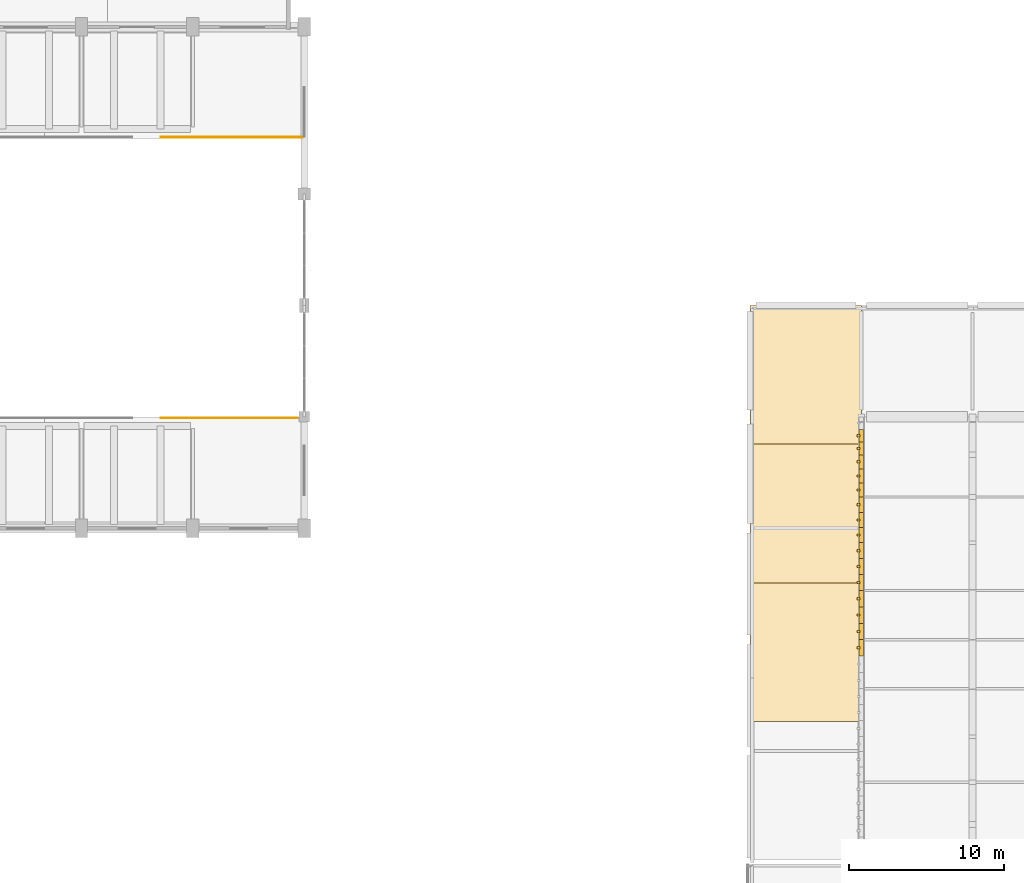
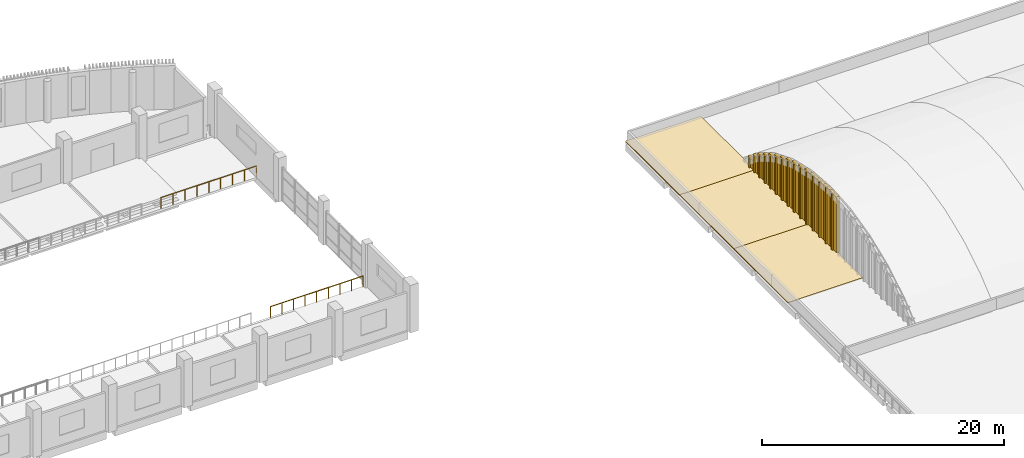
# One storey, part 68 of 71: 33 coverings, 2 railings.
"""IFC4 building model written with IfcOpenShell, lengths in metres."""

from ifc_helpers import new_model, si_unit, direction, frame, frame_2d, origin, origin_2d, place, context, subcontext, project, spatial, polyline, rectangle, circle, outline, extrude, material, layer, layer_set, type_object, element, save


model = new_model("IFC4")

# Units and contexts
model_context = context("Model", 3, precision=1e-05, world=origin(), true_north=direction((0.0, 1.0)))
body_context = subcontext(model_context, "Body", "Model", "MODEL_VIEW")
ifc_project = project(units=[si_unit("LENGTHUNIT", "METRE"), si_unit("AREAUNIT", "SQUARE_METRE"), si_unit("VOLUMEUNIT", "CUBIC_METRE"), si_unit("PLANEANGLEUNIT", "RADIAN"), si_unit("MASSUNIT", "GRAM", prefix="KILO")], contexts=[model_context])

# Site, building, storey
site_placement = place(None, origin())
site = spatial("IfcSite", under=ifc_project, at=site_placement, CompositionType="ELEMENT")
building_placement = place(site_placement, origin())
building = spatial("IfcBuilding", under=site, at=building_placement, Name="Sardonyx Promenade Sports Hall", CompositionType="ELEMENT")
storey_placement = place(building_placement, frame((0.0, 0.0, 16.0)))
storey = spatial("IfcBuildingStorey", under=building, at=storey_placement, Name="L03", CompositionType="ELEMENT", Elevation=16.0)

# Coverings
ifc_material_1 = material(Name="Glulam GL28h", Category="wood")
ifc_layer_1 = layer(ifc_material_1, 0.110107421875)
ifc_layer_set_1 = layer_set([ifc_layer_1], Name="Cov_Louvre_GL28h")
covering_type_1 = type_object("IfcCoveringType", Name="Cov_Louvre_GL28h", PredefinedType="MOLDING", material=ifc_layer_set_1)
for number, where, z_axis, x_axis, name in (
    (1, (115.02001953125, 64.271728515625, -0.02001953125), (0.0, 0.0, 1.0), (1.0, 0.0, 0.0), "Tympanum vertical stone mullion V2-W #15"),
    (2, (115.02001953125, 65.328369140625, -0.02001953125), (0.0, 0.0, 1.0), (1.0, 0.0, 0.0), "Tympanum vertical stone mullion V2-W #16"),
):
    element("IfcCovering", number, at=place(storey_placement, frame(where, z_axis=z_axis, x_axis=x_axis)), inside=storey, type_object=covering_type_1, Name=name, PredefinedType="MOLDING", context=body_context, shape_type="SweptSolid", body=[
        extrude(rectangle(XDim=0.219970703125, YDim=0.139892578125, at=origin_2d()), origin(), (0.0, 0.0, 1.0), 5.739501953125),
    ])
covering_1_placement = place(storey_placement, frame((115.02001953125, 66.384765625, -0.02001953125), z_axis=(0.0, 0.0, 1.0), x_axis=(1.0, 0.0, 0.0)))
element("IfcCovering", 3, at=covering_1_placement, inside=storey, type_object=covering_type_1, Name="Tympanum vertical stone mullion V2-W #17", PredefinedType="MOLDING", context=body_context, shape_type="SweptSolid", body=[
    extrude(rectangle(XDim=0.219970703125, YDim=0.139892578125, at=origin_2d()), origin(), (0.0, 0.0, 1.0), 5.658447265625),
])
covering_2_placement = place(storey_placement, frame((115.02001953125, 67.44140625, -0.02001953125), z_axis=(0.0, 0.0, 1.0), x_axis=(1.0, 0.0, 0.0)))
element("IfcCovering", 4, at=covering_2_placement, inside=storey, type_object=covering_type_1, Name="Tympanum vertical stone mullion V2-W #18", PredefinedType="MOLDING", context=body_context, shape_type="SweptSolid", body=[
    extrude(rectangle(XDim=0.219970703125, YDim=0.139892578125, at=origin_2d()), origin(), (0.0, 0.0, 1.0), 5.577392578125),
])
covering_3_placement = place(storey_placement, frame((115.02001953125, 68.485595703125, -0.02001953125), z_axis=(0.0, 0.0, 1.0), x_axis=(1.0, 0.0, 0.0)))
element("IfcCovering", 5, at=covering_3_placement, inside=storey, type_object=covering_type_1, Name="Tympanum vertical stone mullion V2-W #19", PredefinedType="MOLDING", context=body_context, shape_type="SweptSolid", body=[
    extrude(rectangle(XDim=0.219970703125, YDim=0.139892578125, at=origin_2d()), origin(), (0.0, 0.0, 1.0), 5.416015625),
])
covering_4_placement = place(storey_placement, frame((115.02001953125, 69.517333984375, -0.02001953125), z_axis=(0.0, 0.0, 1.0), x_axis=(1.0, 0.0, 0.0)))
element("IfcCovering", 6, at=covering_4_placement, inside=storey, type_object=covering_type_1, Name="Tympanum vertical stone mullion V2-W #20", PredefinedType="MOLDING", context=body_context, shape_type="SweptSolid", body=[
    extrude(rectangle(XDim=0.219970703125, YDim=0.139892578125, at=origin_2d()), origin(), (0.0, 0.0, 1.0), 5.1748046875),
])
covering_5_placement = place(storey_placement, frame((115.02001953125, 70.549072265625, -0.02001953125), z_axis=(0.0, 0.0, 1.0), x_axis=(1.0, 0.0, 0.0)))
element("IfcCovering", 7, at=covering_5_placement, inside=storey, type_object=covering_type_1, Name="Tympanum vertical stone mullion V2-W #21", PredefinedType="MOLDING", context=body_context, shape_type="SweptSolid", body=[
    extrude(rectangle(XDim=0.219970703125, YDim=0.139892578125, at=origin_2d()), origin(), (0.0, 0.0, 1.0), 4.93359375),
])
covering_6_placement = place(storey_placement, frame((115.02001953125, 71.556396484375, -0.02001953125), z_axis=(0.0, 0.0, 1.0), x_axis=(1.0, 0.0, 0.0)))
element("IfcCovering", 8, at=covering_6_placement, inside=storey, type_object=covering_type_1, Name="Tympanum vertical stone mullion V2-W #22", PredefinedType="MOLDING", context=body_context, shape_type="SweptSolid", body=[
    extrude(rectangle(XDim=0.219970703125, YDim=0.139892578125, at=origin_2d()), origin(), (0.0, 0.0, 1.0), 4.614990234375),
])
covering_7_placement = place(storey_placement, frame((115.02001953125, 72.539306640625, -0.02001953125), z_axis=(0.0, 0.0, 1.0), x_axis=(1.0, 0.0, 0.0)))
element("IfcCovering", 9, at=covering_7_placement, inside=storey, type_object=covering_type_1, Name="Tympanum vertical stone mullion V2-W #23", PredefinedType="MOLDING", context=body_context, shape_type="SweptSolid", body=[
    extrude(rectangle(XDim=0.219970703125, YDim=0.139892578125, at=origin_2d()), origin(), (0.0, 0.0, 1.0), 4.218994140625),
])
covering_8_placement = place(storey_placement, frame((115.02001953125, 73.522216796875, -0.02001953125), z_axis=(0.0, 0.0, 1.0), x_axis=(1.0, 0.0, 0.0)))
element("IfcCovering", 10, at=covering_8_placement, inside=storey, type_object=covering_type_1, Name="Tympanum vertical stone mullion V2-W #24", PredefinedType="MOLDING", context=body_context, shape_type="SweptSolid", body=[
    extrude(rectangle(XDim=0.219970703125, YDim=0.139892578125, at=origin_2d()), origin(), (0.0, 0.0, 1.0), 3.8232421875),
])
covering_9_placement = place(storey_placement, frame((115.02001953125, 74.46923828125, -0.02001953125), z_axis=(0.0, 0.0, 1.0), x_axis=(1.0, 0.0, 0.0)))
element("IfcCovering", 11, at=covering_9_placement, inside=storey, type_object=covering_type_1, Name="Tympanum vertical stone mullion V2-W #25", PredefinedType="MOLDING", context=body_context, shape_type="SweptSolid", body=[
    extrude(rectangle(XDim=0.219970703125, YDim=0.139892578125, at=origin_2d()), origin(), (0.0, 0.0, 1.0), 3.3544921875),
])
covering_10_placement = place(storey_placement, frame((115.02001953125, 75.380126953125, -0.02001953125), z_axis=(0.0, 0.0, 1.0), x_axis=(1.0, 0.0, 0.0)))
element("IfcCovering", 12, at=covering_10_placement, inside=storey, type_object=covering_type_1, Name="Tympanum vertical stone mullion V2-W #26", PredefinedType="MOLDING", context=body_context, shape_type="SweptSolid", body=[
    extrude(rectangle(XDim=0.219970703125, YDim=0.139892578125, at=origin_2d()), origin(), (0.0, 0.0, 1.0), 2.8134765625),
])
covering_11_placement = place(storey_placement, frame((115.02001953125, 76.291259765625, -0.02001953125), z_axis=(0.0, 0.0, 1.0), x_axis=(1.0, 0.0, 0.0)))
element("IfcCovering", 13, at=covering_11_placement, inside=storey, type_object=covering_type_1, Name="Tympanum vertical stone mullion V2-W #27", PredefinedType="MOLDING", context=body_context, shape_type="SweptSolid", body=[
    extrude(rectangle(XDim=0.219970703125, YDim=0.139892578125, at=origin_2d()), origin(), (0.0, 0.0, 1.0), 2.272216796875),
])
covering_12_placement = place(storey_placement, frame((115.02001953125, 77.155517578125, -0.02001953125), z_axis=(0.0, 0.0, 1.0), x_axis=(1.0, 0.0, 0.0)))
element("IfcCovering", 14, at=covering_12_placement, inside=storey, type_object=covering_type_1, Name="Tympanum vertical stone mullion V2-W #28", PredefinedType="MOLDING", context=body_context, shape_type="SweptSolid", body=[
    extrude(rectangle(XDim=0.219970703125, YDim=0.139892578125, at=origin_2d()), origin(), (0.0, 0.0, 1.0), 1.66455078125),
])
covering_13_placement = place(storey_placement, frame((115.02001953125, 77.973388671875, -0.02001953125), z_axis=(0.0, 0.0, 1.0), x_axis=(1.0, 0.0, 0.0)))
element("IfcCovering", 15, at=covering_13_placement, inside=storey, type_object=covering_type_1, Name="Tympanum vertical stone mullion V2-W #29", PredefinedType="MOLDING", context=body_context, shape_type="SweptSolid", body=[
    extrude(rectangle(XDim=0.219970703125, YDim=0.139892578125, at=origin_2d()), origin(), (0.0, 0.0, 1.0), 0.99072265625),
])
ifc_material_2 = material(Name="Carved Cape red sandstone ashlar", Category="masonry")
ifc_layer_2 = layer(ifc_material_2, 0.239990234375)
ifc_layer_set_2 = layer_set([ifc_layer_2], Name="Cov_Mughal_Arch")
covering_type_2 = type_object("IfcCoveringType", Name="Cov_Mughal_Arch", PredefinedType="CLADDING", material=ifc_layer_set_2)
covering_14_placement = place(storey_placement, frame((115.199951171875, 63.743408203125, -0.02001953125), z_axis=(0.0, 0.0, 1.0), x_axis=(0.0, 1.0, 0.0)))
element("IfcCovering", 16, at=covering_14_placement, inside=storey, type_object=covering_type_2, Name="Barrel-vault arched tympanum V2-W #15", PredefinedType="CLADDING", context=body_context, shape_type="SweptSolid", body=[
    extrude(rectangle(XDim=1.056640625, YDim=0.280029296875, at=frame_2d((0.5283203125, 0.0))), origin(), (0.0, 0.0, 1.0), 5.739501953125),
])
covering_15_placement = place(storey_placement, frame((115.199951171875, 64.800048828125, -0.02001953125), z_axis=(0.0, 0.0, 1.0), x_axis=(0.0, 1.0, 0.0)))
element("IfcCovering", 17, at=covering_15_placement, inside=storey, type_object=covering_type_2, Name="Barrel-vault arched tympanum V2-W #16", PredefinedType="CLADDING", context=body_context, shape_type="SweptSolid", body=[
    extrude(rectangle(XDim=1.056396484375, YDim=0.280029296875, at=frame_2d((0.5283203125, 0.0))), origin(), (0.0, 0.0, 1.0), 5.739501953125),
])
covering_16_placement = place(storey_placement, frame((115.199951171875, 65.8564453125, -0.02001953125), z_axis=(0.0, 0.0, 1.0), x_axis=(0.0, 1.0, 0.0)))
element("IfcCovering", 18, at=covering_16_placement, inside=storey, type_object=covering_type_2, Name="Barrel-vault arched tympanum V2-W #17", PredefinedType="CLADDING", context=body_context, shape_type="SweptSolid", body=[
    extrude(rectangle(XDim=1.056640625, YDim=0.280029296875, at=frame_2d((0.5283203125, 0.0))), origin(), (0.0, 0.0, 1.0), 5.658447265625),
])
covering_17_placement = place(storey_placement, frame((115.199951171875, 66.9130859375, -0.02001953125), z_axis=(0.0, 0.0, 1.0), x_axis=(0.0, 1.0, 0.0)))
element("IfcCovering", 19, at=covering_17_placement, inside=storey, type_object=covering_type_2, Name="Barrel-vault arched tympanum V2-W #18", PredefinedType="CLADDING", context=body_context, shape_type="SweptSolid", body=[
    extrude(rectangle(XDim=1.056396484375, YDim=0.280029296875, at=frame_2d((0.5283203125, 0.0))), origin(), (0.0, 0.0, 1.0), 5.577392578125),
])
covering_18_placement = place(storey_placement, frame((115.199951171875, 67.969482421875, -0.02001953125), z_axis=(0.0, 0.0, 1.0), x_axis=(0.0, 1.0, 0.0)))
element("IfcCovering", 20, at=covering_18_placement, inside=storey, type_object=covering_type_2, Name="Barrel-vault arched tympanum V2-W #19", PredefinedType="CLADDING", context=body_context, shape_type="SweptSolid", body=[
    extrude(rectangle(XDim=1.031982421875, YDim=0.280029296875, at=frame_2d((0.51611328125, 0.0))), origin(), (0.0, 0.0, 1.0), 5.416015625),
])
covering_19_placement = place(storey_placement, frame((115.199951171875, 69.00146484375, -0.02001953125), z_axis=(0.0, 0.0, 1.0), x_axis=(0.0, 1.0, 0.0)))
element("IfcCovering", 21, at=covering_19_placement, inside=storey, type_object=covering_type_2, Name="Barrel-vault arched tympanum V2-W #20", PredefinedType="CLADDING", context=body_context, shape_type="SweptSolid", body=[
    extrude(rectangle(XDim=1.03173828125, YDim=0.280029296875, at=frame_2d((0.515869140625, 0.0))), origin(), (0.0, 0.0, 1.0), 5.1748046875),
])
covering_20_placement = place(storey_placement, frame((115.199951171875, 70.033203125, -0.02001953125), z_axis=(0.0, 0.0, 1.0), x_axis=(0.0, 1.0, 0.0)))
element("IfcCovering", 22, at=covering_20_placement, inside=storey, type_object=covering_type_2, Name="Barrel-vault arched tympanum V2-W #21", PredefinedType="CLADDING", context=body_context, shape_type="SweptSolid", body=[
    extrude(rectangle(XDim=1.03173828125, YDim=0.280029296875, at=frame_2d((0.515869140625, 0.0))), origin(), (0.0, 0.0, 1.0), 4.93359375),
])
covering_21_placement = place(storey_placement, frame((115.199951171875, 71.06494140625, -0.02001953125), z_axis=(0.0, 0.0, 1.0), x_axis=(0.0, 1.0, 0.0)))
element("IfcCovering", 23, at=covering_21_placement, inside=storey, type_object=covering_type_2, Name="Barrel-vault arched tympanum V2-W #22", PredefinedType="CLADDING", context=body_context, shape_type="SweptSolid", body=[
    extrude(rectangle(XDim=0.98291015625, YDim=0.280029296875, at=frame_2d((0.491455078125, 0.0))), origin(), (0.0, 0.0, 1.0), 4.614990234375),
])
covering_22_placement = place(storey_placement, frame((115.199951171875, 72.0478515625, -0.02001953125), z_axis=(0.0, 0.0, 1.0), x_axis=(0.0, 1.0, 0.0)))
element("IfcCovering", 24, at=covering_22_placement, inside=storey, type_object=covering_type_2, Name="Barrel-vault arched tympanum V2-W #23", PredefinedType="CLADDING", context=body_context, shape_type="SweptSolid", body=[
    extrude(rectangle(XDim=0.98291015625, YDim=0.280029296875, at=frame_2d((0.491455078125, 0.0))), origin(), (0.0, 0.0, 1.0), 4.218994140625),
])
covering_23_placement = place(storey_placement, frame((115.199951171875, 73.03076171875, -0.02001953125), z_axis=(0.0, 0.0, 1.0), x_axis=(0.0, 1.0, 0.0)))
element("IfcCovering", 25, at=covering_23_placement, inside=storey, type_object=covering_type_2, Name="Barrel-vault arched tympanum V2-W #24", PredefinedType="CLADDING", context=body_context, shape_type="SweptSolid", body=[
    extrude(rectangle(XDim=0.98291015625, YDim=0.280029296875, at=frame_2d((0.491455078125, 0.0))), origin(), (0.0, 0.0, 1.0), 3.8232421875),
])
covering_24_placement = place(storey_placement, frame((115.199951171875, 74.013671875, -0.02001953125), z_axis=(0.0, 0.0, 1.0), x_axis=(0.0, 1.0, 0.0)))
element("IfcCovering", 26, at=covering_24_placement, inside=storey, type_object=covering_type_2, Name="Barrel-vault arched tympanum V2-W #25", PredefinedType="CLADDING", context=body_context, shape_type="SweptSolid", body=[
    extrude(rectangle(XDim=0.9111328125, YDim=0.280029296875, at=frame_2d((0.45556640625, 0.0))), origin(), (0.0, 0.0, 1.0), 3.354736328125),
])
covering_25_placement = place(storey_placement, frame((115.199951171875, 74.9248046875, -0.02001953125), z_axis=(0.0, 0.0, 1.0), x_axis=(0.0, 1.0, 0.0)))
element("IfcCovering", 27, at=covering_25_placement, inside=storey, type_object=covering_type_2, Name="Barrel-vault arched tympanum V2-W #26", PredefinedType="CLADDING", context=body_context, shape_type="SweptSolid", body=[
    extrude(rectangle(XDim=0.910888671875, YDim=0.280029296875, at=frame_2d((0.45556640625, 0.0))), origin(), (0.0, 0.0, 1.0), 2.8134765625),
])
covering_26_placement = place(storey_placement, frame((115.199951171875, 75.835693359375, -0.02001953125), z_axis=(0.0, 0.0, 1.0), x_axis=(0.0, 1.0, 0.0)))
element("IfcCovering", 28, at=covering_26_placement, inside=storey, type_object=covering_type_2, Name="Barrel-vault arched tympanum V2-W #27", PredefinedType="CLADDING", context=body_context, shape_type="SweptSolid", body=[
    extrude(rectangle(XDim=0.910888671875, YDim=0.280029296875, at=frame_2d((0.45556640625, 0.0))), origin(), (0.0, 0.0, 1.0), 2.272216796875),
])
covering_27_placement = place(storey_placement, frame((115.199951171875, 76.74658203125, -0.02001953125), z_axis=(0.0, 0.0, 1.0), x_axis=(0.0, 1.0, 0.0)))
element("IfcCovering", 29, at=covering_27_placement, inside=storey, type_object=covering_type_2, Name="Barrel-vault arched tympanum V2-W #28", PredefinedType="CLADDING", context=body_context, shape_type="SweptSolid", body=[
    extrude(rectangle(XDim=0.81787109375, YDim=0.280029296875, at=frame_2d((0.408935546875, 0.0))), origin(), (0.0, 0.0, 1.0), 1.66455078125),
])
covering_28_placement = place(storey_placement, frame((115.199951171875, 77.564453125, -0.02001953125), z_axis=(0.0, 0.0, 1.0), x_axis=(0.0, 1.0, 0.0)))
element("IfcCovering", 30, at=covering_28_placement, inside=storey, type_object=covering_type_2, Name="Barrel-vault arched tympanum V2-W #29", PredefinedType="CLADDING", context=body_context, shape_type="SweptSolid", body=[
    extrude(rectangle(XDim=0.81787109375, YDim=0.280029296875, at=frame_2d((0.408935546875, 0.0))), origin(), (0.0, 0.0, 1.0), 0.99072265625),
])
ifc_material_3 = material(Name="TPO insulated waterproof roofing membrane", Category="other")
ifc_layer_3 = layer(ifc_material_3, 0.080078125)
ifc_layer_set_3 = layer_set([ifc_layer_3], Name="Cov_Roofing_Membrane")
covering_type_3 = type_object("IfcCoveringType", Name="Cov_Roofing_Membrane", PredefinedType="ROOFING", material=ifc_layer_set_3)
covering_29_placement = place(storey_placement, origin())
element("IfcCovering", 31, at=covering_29_placement, inside=storey, type_object=covering_type_3, Name="Insulated TPO roofing membrane L03 #14", PredefinedType="ROOFING", context=body_context, shape_type="SweptSolid", body=[
    extrude(outline(polyline([(108.0, 59.512451171875), (115.199951171875, 59.512451171875), (115.199951171875, 68.47509765625), (108.0, 68.47509765625), (108.0, 59.512451171875)])), origin(), (0.0, 0.0, 1.0), 0.080078125),
])
covering_30_placement = place(storey_placement, origin())
element("IfcCovering", 32, at=covering_30_placement, inside=storey, type_object=covering_type_3, Name="Insulated TPO roofing membrane L03 #15", PredefinedType="ROOFING", context=body_context, shape_type="SweptSolid", body=[
    extrude(outline(polyline([(108.0, 68.47509765625), (115.199951171875, 68.47509765625), (115.199951171875, 77.4375), (108.0, 77.4375), (108.0, 68.47509765625)])), origin(), (0.0, 0.0, 1.0), 0.080078125),
])
covering_31_placement = place(storey_placement, origin())
element("IfcCovering", 33, at=covering_31_placement, inside=storey, type_object=covering_type_3, Name="Insulated TPO roofing membrane L03 #16", PredefinedType="ROOFING", context=body_context, shape_type="SweptSolid", body=[
    extrude(outline(polyline([(108.0, 77.4375), (115.199951171875, 77.4375), (115.199951171875, 86.39990234375), (108.0, 86.39990234375), (108.0, 77.4375)])), origin(), (0.0, 0.0, 1.0), 0.080078125),
])

# Railings
ifc_material_4 = material(Name="Powder-coated Steel S355JR", Category="steel")
railing_type = type_object("IfcRailingType", Name="Rail_Int_Guard_1100", PredefinedType="GUARDRAIL", material=ifc_material_4)
railing_1_placement = place(storey_placement, frame((78.75, 79.1298828125, 0.0)))
element("IfcRailing", 34, at=railing_1_placement, inside=storey, type_object=railing_type, Name="Deck-edge guardrail GR02 L03 #62", PredefinedType="GUARDRAIL", context=body_context, shape_type="SweptSolid", body=[
    extrude(circle(Radius=0.02392578125, at=origin_2d()), frame((0.0, 0.0, 1.09619140625), z_axis=(-1.0, 0.0, 0.0), x_axis=(0.0, -1.0, 0.0)), (0.0, 0.0, 1.0), 8.820068359375),
    extrude(circle(Radius=0.02099609375, at=origin_2d()), origin(), (0.0, 0.0, 1.0), 1.072021484375),
    extrude(circle(Radius=0.02099609375, at=origin_2d()), frame((-1.1025390625, 0.0, 0.0)), (0.0, 0.0, 1.0), 1.072021484375),
    extrude(circle(Radius=0.02099609375, at=origin_2d()), frame((-2.205078125, 0.0, 0.0)), (0.0, 0.0, 1.0), 1.072021484375),
    extrude(circle(Radius=0.02099609375, at=origin_2d()), frame((-3.3076171875, 0.0, 0.0)), (0.0, 0.0, 1.0), 1.072021484375),
    extrude(circle(Radius=0.02099609375, at=origin_2d()), frame((-4.41015625, 0.0, 0.0)), (0.0, 0.0, 1.0), 1.072021484375),
    extrude(circle(Radius=0.02099609375, at=origin_2d()), frame((-5.512451171875, 0.0, 0.0)), (0.0, 0.0, 1.0), 1.072021484375),
    extrude(circle(Radius=0.02099609375, at=origin_2d()), frame((-6.614990234375, 0.0, 0.0)), (0.0, 0.0, 1.0), 1.072021484375),
    extrude(circle(Radius=0.02099609375, at=origin_2d()), frame((-7.717529296875, 0.0, 0.0)), (0.0, 0.0, 1.0), 1.072021484375),
    extrude(circle(Radius=0.02099609375, at=origin_2d()), frame((-8.820068359375, 0.0, 0.0)), (0.0, 0.0, 1.0), 1.072021484375),
])
railing_2_placement = place(storey_placement, frame((69.929931640625, 97.27001953125, 0.0)))
element("IfcRailing", 35, at=railing_2_placement, inside=storey, type_object=railing_type, Name="Deck-edge guardrail GR02 L03 #72", PredefinedType="GUARDRAIL", context=body_context, shape_type="SweptSolid", body=[
    extrude(circle(Radius=0.02392578125, at=origin_2d()), frame((0.0, 0.0, 1.09619140625), z_axis=(1.0, 0.0, 0.0), x_axis=(0.0, 1.0, 0.0)), (0.0, 0.0, 1.0), 9.150146484375),
    extrude(circle(Radius=0.02099609375, at=origin_2d()), origin(), (0.0, 0.0, 1.0), 1.072021484375),
    extrude(circle(Radius=0.02099609375, at=origin_2d()), frame((1.143798828125, 0.0, 0.0)), (0.0, 0.0, 1.0), 1.072021484375),
    extrude(circle(Radius=0.02099609375, at=origin_2d()), frame((2.28759765625, 0.0, 0.0)), (0.0, 0.0, 1.0), 1.072021484375),
    extrude(circle(Radius=0.02099609375, at=origin_2d()), frame((3.431396484375, 0.0, 0.0)), (0.0, 0.0, 1.0), 1.072021484375),
    extrude(circle(Radius=0.02099609375, at=origin_2d()), frame((4.5751953125, 0.0, 0.0)), (0.0, 0.0, 1.0), 1.072021484375),
    extrude(circle(Radius=0.02099609375, at=origin_2d()), frame((5.71875, 0.0, 0.0)), (0.0, 0.0, 1.0), 1.072021484375),
    extrude(circle(Radius=0.02099609375, at=origin_2d()), frame((6.862548828125, 0.0, 0.0)), (0.0, 0.0, 1.0), 1.072021484375),
    extrude(circle(Radius=0.02099609375, at=origin_2d()), frame((8.00634765625, 0.0, 0.0)), (0.0, 0.0, 1.0), 1.072021484375),
    extrude(circle(Radius=0.02099609375, at=origin_2d()), frame((9.150146484375, 0.0, 0.0)), (0.0, 0.0, 1.0), 1.072021484375),
])

save(model, "model.ifc")
